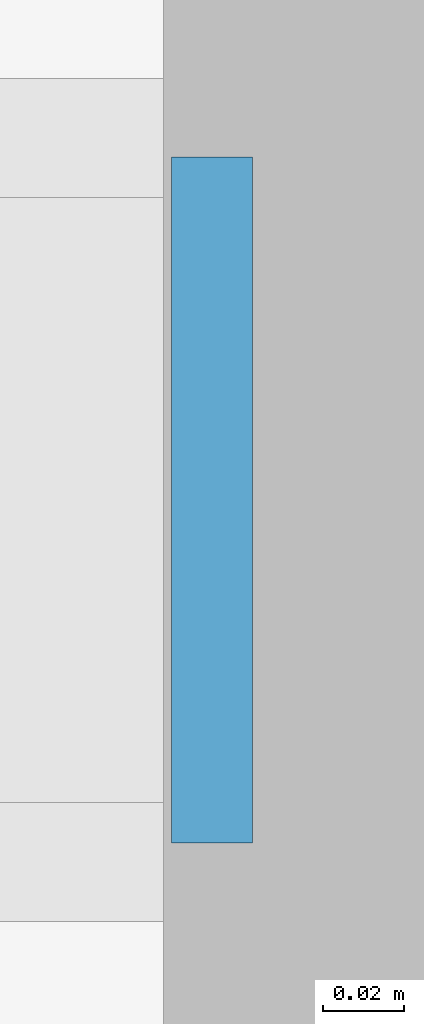
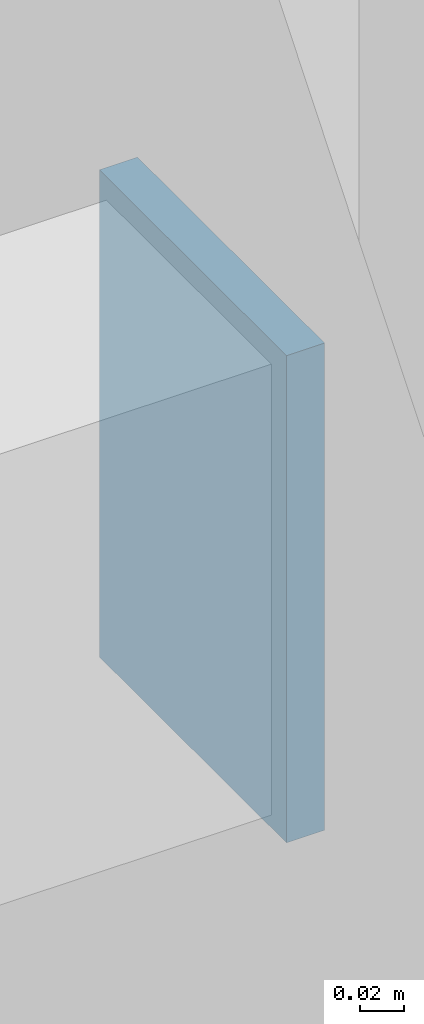
# One storey, part 160 of 188: 1 plate.
"""IFC4 building model written with IfcOpenShell, lengths in metres."""

import ifcopenshell
import ifcopenshell.guid

model = None  # the IFC model being written
_history = None  # IfcOwnerHistory: only IFC2X3 demands one
_inside = {}  # id of a spatial element -> (the spatial element, [elements in it])
_under = {}  # id of a project, library or spatial element -> (it, [spatial elements below it])
_declared = {}  # id of a project -> (the project, [libraries it declares])
_typed = {}  # id of a type object -> (the type object, [elements of that type])
_made_of = {}  # id of a material, layer set ... -> (it, [elements and type objects made of it])


def new_model(schema):
    """Start an empty IFC model of exactly this schema.

    Asked for "IFC4X3", IfcOpenShell would pick the latest addendum, in which some entities
    have other attributes; the version numbers below select the first issue.
    IFC2X3 requires an IfcOwnerHistory on every rooted entity: one is made here for all.
    """
    global model, _history
    if schema == "IFC4X3":
        model = ifcopenshell.file(schema_version=(4, 3, 0, 0))
    else:
        model = ifcopenshell.file(schema=schema)
    _inside.clear()
    _under.clear()
    _declared.clear()
    _typed.clear()
    _made_of.clear()
    _history = None
    if model.schema == "IFC2X3":
        org = make("IfcOrganization", Name="unknown")
        user = make(
            "IfcPersonAndOrganization",
            ThePerson=make("IfcPerson", FamilyName="unknown"),
            TheOrganization=org,
        )
        app = make(
            "IfcApplication",
            ApplicationDeveloper=org,
            Version="unknown",
            ApplicationFullName="unknown",
            ApplicationIdentifier="unknown",
        )
        _history = make(
            "IfcOwnerHistory",
            OwningUser=user,
            OwningApplication=app,
            ChangeAction="ADDED",
            CreationDate=0,
        )
    return model


def make(cls, **values):
    """One entity of the class cls with the attributes given. An attribute that is None is left unset."""
    return model.create_entity(
        cls, **{name: value for name, value in values.items() if value is not None}
    )


def rooted(cls, **values):
    """An entity with a GlobalId (a new one), such as an element, a storey or a relation."""
    return make(cls, GlobalId=ifcopenshell.guid.new(), OwnerHistory=_history, **values)


def si_unit(unit_type, name, prefix=None):
    """IfcSIUnit, for example si_unit("LENGTHUNIT", "METRE", prefix="MILLI")."""
    return make("IfcSIUnit", UnitType=unit_type, Prefix=prefix, Name=name)


def assignment(units):
    """IfcUnitAssignment: the units of a project."""
    return None if units is None else make("IfcUnitAssignment", Units=units)


def point(xyz):
    """IfcCartesianPoint."""
    return None if xyz is None else make("IfcCartesianPoint", Coordinates=xyz)


def direction(xyz):
    """IfcDirection."""
    return None if xyz is None else make("IfcDirection", DirectionRatios=xyz)


def frame(location, z_axis=None, x_axis=None):
    """IfcAxis2Placement3D, a coordinate frame: its origin and axes. An axis left out is left unset."""
    return make(
        "IfcAxis2Placement3D",
        Location=point(location),
        Axis=direction(z_axis),
        RefDirection=direction(x_axis),
    )


def frame_2d(location, x_axis=None):
    """IfcAxis2Placement2D, a coordinate frame in the plane: its origin and x axis."""
    return make(
        "IfcAxis2Placement2D", Location=point(location), RefDirection=direction(x_axis)
    )


def origin():
    """The frame at (0, 0, 0) with its axes left unset."""
    return frame((0.0, 0.0, 0.0))


def origin_2d():
    """The frame at (0, 0) in the plane with its x axis left unset."""
    return frame_2d((0.0, 0.0))


def place(relative_to, where):
    """IfcLocalPlacement: puts the frame where relative to a parent placement (None: the world)."""
    return make(
        "IfcLocalPlacement", PlacementRelTo=relative_to, RelativePlacement=where
    )


def context(
    kind, dimensions, precision=None, world=None, true_north=None, identifier=None
):
    """IfcGeometricRepresentationContext, for example the 3D "Model" context."""
    return make(
        "IfcGeometricRepresentationContext",
        ContextIdentifier=identifier,
        ContextType=kind,
        CoordinateSpaceDimension=dimensions,
        Precision=precision,
        WorldCoordinateSystem=world,
        TrueNorth=true_north,
    )


def subcontext(parent, identifier, kind, view, scale=None):
    """IfcGeometricRepresentationSubContext, for example "Body" below "Model"."""
    return make(
        "IfcGeometricRepresentationSubContext",
        ContextIdentifier=identifier,
        ContextType=kind,
        ParentContext=parent,
        TargetScale=scale,
        TargetView=view,
    )


def project(units=None, contexts=None):
    """IfcProject with its units and contexts."""
    return rooted(
        "IfcProject",
        Name="project",
        RepresentationContexts=contexts,
        UnitsInContext=assignment(units),
    )


def spatial(cls, under=None, at=None, **own):
    """A site, building, storey or space (cls), placed at a placement, below another one or the project."""
    s = rooted(cls, ObjectPlacement=at, **own)
    if under is not None:
        _under.setdefault(under.id(), (under, []))[1].append(s)
    return s


def profile(cls, at=None, kind="AREA", **sizes):
    """A parametric profile (cls). Its sizes go by their IFC names, for example OverallWidth=200.0."""
    return make(cls, ProfileType=kind, Position=at, **sizes)


def rectangle(**sizes):
    """IfcRectangleProfileDef."""
    return profile("IfcRectangleProfileDef", **sizes)


def extrude(swept, where, along, depth):
    """IfcExtrudedAreaSolid: the profile swept, set in the frame where, extruded along a direction by depth."""
    return make(
        "IfcExtrudedAreaSolid",
        SweptArea=swept,
        Position=where,
        ExtrudedDirection=direction(along),
        Depth=depth,
    )


def shape(context_of_items, identifier, shape_type, items):
    """IfcShapeRepresentation: the items that make up one representation, for example the "Body"."""
    return make(
        "IfcShapeRepresentation",
        ContextOfItems=context_of_items,
        RepresentationIdentifier=identifier,
        RepresentationType=shape_type,
        Items=items,
    )


def material(Name=None, Category=None):
    """IfcMaterial."""
    return make("IfcMaterial", Name=Name, Category=Category)


def layer(
    of_material, thickness, ventilated=None, Name=None, Category=None, Priority=None
):
    """IfcMaterialLayer: one layer of a wall or slab, of a material (None: an air gap)."""
    return make(
        "IfcMaterialLayer",
        Material=of_material,
        LayerThickness=thickness,
        IsVentilated=ventilated,
        Name=Name,
        Category=Category,
        Priority=Priority,
    )


def layer_set(layers, Name=None):
    """IfcMaterialLayerSet."""
    return make("IfcMaterialLayerSet", MaterialLayers=layers, LayerSetName=Name)


def made_of(thing, what):
    """Note that an element or type object is made of a material, layer set ...; save() writes the relation."""
    if what is not None:
        _made_of.setdefault(what.id(), (what, []))[1].append(thing)
    return thing


def type_object(cls, material=None, **own):
    """A type object (cls), such as IfcWallType, which elements share."""
    return made_of(rooted(cls, **own), material)


def element(
    cls,
    number,
    at=None,
    inside=None,
    cuts=None,
    type_object=None,
    material=None,
    context=None,
    identifier="Body",
    shape_type=None,
    held_by="IfcProductDefinitionShape",
    body=None,
    shapes=None,
    **own,
):
    """One element of the class cls, such as IfcWall. Its Tag is "e" and its number.

    at: its placement. inside: the storey or other place that contains it. cuts: it is an
    opening in that element (IfcRelVoidsElement). A single representation is given by context,
    identifier, shape_type and body (its items); several are given by shapes. held_by: the class
    of the entity that holds the representations. save() writes the other relations.
    """
    e = rooted(cls, Tag="e%d" % number, ObjectPlacement=at, **own)
    if body is not None:
        shapes = [shape(context, identifier, shape_type, body)]
    if shapes is not None:
        e.Representation = make(held_by, Representations=shapes)
    if inside is not None:
        _inside.setdefault(inside.id(), (inside, []))[1].append(e)
    if cuts is not None:
        rooted(
            "IfcRelVoidsElement", RelatingBuildingElement=cuts, RelatedOpeningElement=e
        )
    if type_object is not None:
        _typed.setdefault(type_object.id(), (type_object, []))[1].append(e)
    return made_of(e, material)


def aggregate(whole, parts):
    """IfcRelAggregates: a whole, such as a stair, and the parts it consists of."""
    return rooted("IfcRelAggregates", RelatingObject=whole, RelatedObjects=parts)


def save(model, path):
    """Write the relations noted so far, then the file.

    IfcRelAggregates (storeys below a building ...), IfcRelContainedInSpatialStructure (elements
    in a storey), IfcRelDefinesByType, IfcRelAssociatesMaterial and IfcRelDeclares: one each for
    every whole, place, type object, material and project.
    """
    for whole, parts in _under.values():
        aggregate(whole, parts)
    for where, things in _inside.values():
        rooted(
            "IfcRelContainedInSpatialStructure",
            RelatedElements=things,
            RelatingStructure=where,
        )
    for kind, things in _typed.values():
        rooted("IfcRelDefinesByType", RelatedObjects=things, RelatingType=kind)
    for what, things in _made_of.values():
        rooted("IfcRelAssociatesMaterial", RelatedObjects=things, RelatingMaterial=what)
    for by, libraries in _declared.values():
        rooted("IfcRelDeclares", RelatingContext=by, RelatedDefinitions=libraries)
    model.write(path)


model = new_model("IFC4")

# Units and contexts
model_context = context("Model", 3, precision=1e-05, world=origin(), true_north=direction((0.0, 1.0)))
body_context = subcontext(model_context, "Body", "Model", "MODEL_VIEW")
ifc_project = project(units=[si_unit("LENGTHUNIT", "METRE"), si_unit("AREAUNIT", "SQUARE_METRE"), si_unit("VOLUMEUNIT", "CUBIC_METRE"), si_unit("PLANEANGLEUNIT", "RADIAN"), si_unit("MASSUNIT", "GRAM", prefix="KILO")], contexts=[model_context])

# Site, building, storey
site_placement = place(None, origin())
site = spatial("IfcSite", under=ifc_project, at=site_placement, CompositionType="ELEMENT")
building_placement = place(site_placement, origin())
building = spatial("IfcBuilding", under=site, at=building_placement, Name="Pandanus Reach Market Hall", CompositionType="ELEMENT")
storey_placement = place(building_placement, origin())
storey = spatial("IfcBuildingStorey", under=building, at=storey_placement, Name="L00", CompositionType="ELEMENT", Elevation=0.0)

# Plate
ifc_material = material(Name="Steel Grade 350 (350 MPa)", Category="steel")
ifc_layer = layer(ifc_material, 0.02001953125, Name="CP-PL20")
ifc_layer_set = layer_set([ifc_layer], Name="Steel Grade 350 (350 MPa)")
plate_type = type_object("IfcPlateType", Name="CP-PL20", PredefinedType="SHEET", material=ifc_layer_set)
plate_placement = place(storey_placement, frame((131.7119140625, 76.800048828125, 3.014892578125), z_axis=(0.0, 0.0, 1.0), x_axis=(1.0, 0.0, 0.0)))
element("IfcPlate", 1, at=plate_placement, inside=storey, type_object=plate_type, Name="Hollow lintel end cap plate CP-PL20 12B", PredefinedType="SHEET", context=body_context, shape_type="SweptSolid", body=[
    extrude(rectangle(XDim=0.02001953125, YDim=0.169921875, at=origin_2d()), origin(), (0.0, 0.0, 1.0), 0.27001953125),
])

save(model, "model.ifc")
